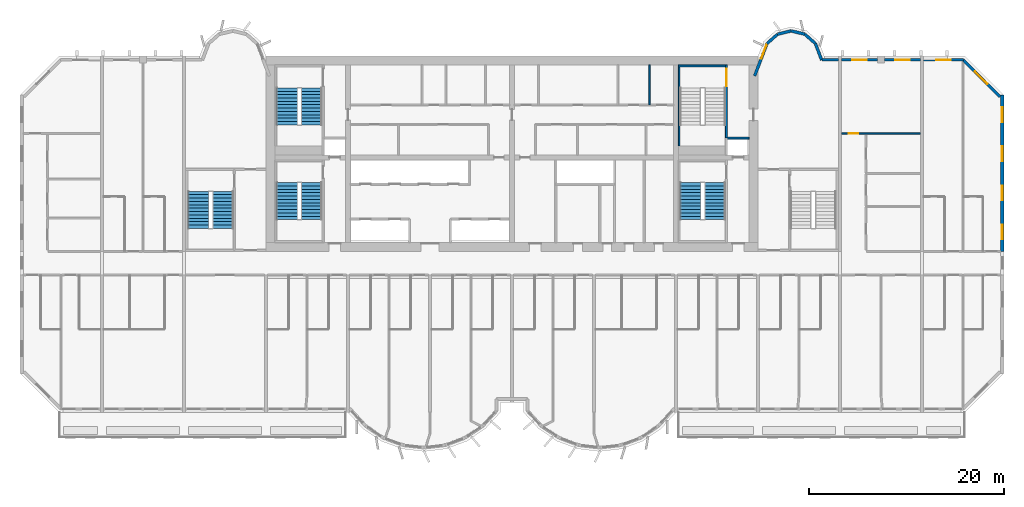
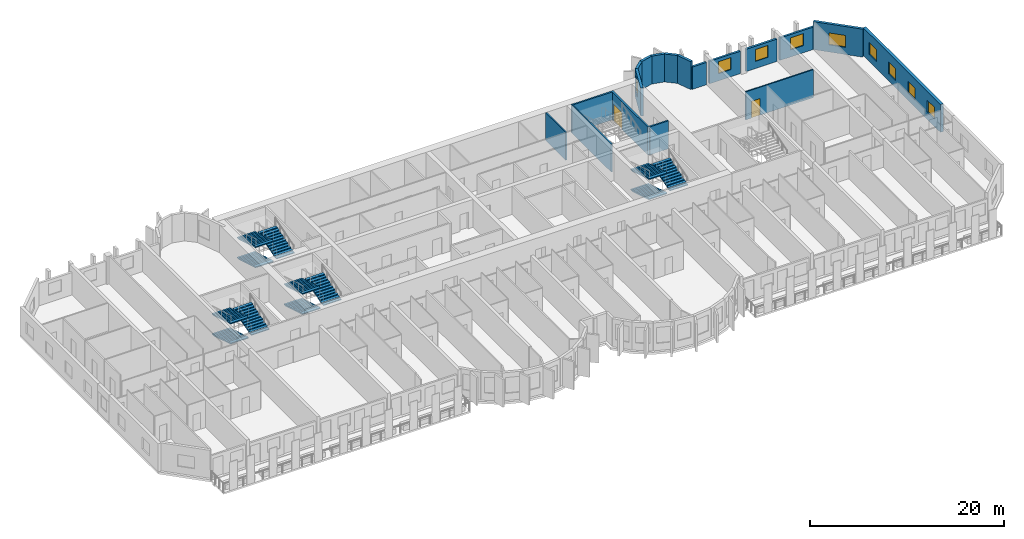
# One storey, part 11 of 15: 18 walls, 12 stair flights, 9 windows, 2 doors, 11 openings, 4 elements without a shape of their own.
"""IFC4 building model written with IfcOpenShell, lengths in metres."""

from ifc_helpers import new_model, si_unit, direction, frame, frame_2d, origin, place, context, subcontext, project, spatial, polyline, rectangle, outline, extrude, source, transform, mapped, material, layer, layer_set, type_object, element, fill, aggregate, save


model = new_model("IFC4")

# Units and contexts
model_context = context("Model", 3, precision=1e-05, world=origin(), true_north=direction((0.0, 1.0)))
body_context = subcontext(model_context, "Body", "Model", "MODEL_VIEW")
ifc_project = project(units=[si_unit("LENGTHUNIT", "METRE"), si_unit("AREAUNIT", "SQUARE_METRE"), si_unit("VOLUMEUNIT", "CUBIC_METRE"), si_unit("PLANEANGLEUNIT", "RADIAN"), si_unit("MASSUNIT", "GRAM", prefix="KILO")], contexts=[model_context])

# Site, building, storey
site_placement = place(None, origin())
site = spatial("IfcSite", under=ifc_project, at=site_placement, CompositionType="ELEMENT")
building_placement = place(site_placement, origin())
building = spatial("IfcBuilding", under=site, at=building_placement, Name="Vanashikhar Sky Hotel", CompositionType="ELEMENT")
storey_placement = place(building_placement, frame((0.0, 0.0, 95.199951171875)))
storey = spatial("IfcBuildingStorey", under=building, at=storey_placement, Name="L22", CompositionType="ELEMENT", Elevation=95.199951171875)

# Wall, openings, windows
ifc_material_1 = material(Name="Concrete M70", Category="concrete")
ifc_layer_1 = layer(ifc_material_1, 0.35009765625)
ifc_layer_set_1 = layer_set([ifc_layer_1], Name="RC shear wall 350 Concrete M70")
wall_type_1 = type_object("IfcWallType", Name="RC shear wall 350 Concrete M70", PredefinedType="SHEAR", material=ifc_layer_set_1)
shared_shape_1 = source(origin(), body_context, "Body", "SweptSolid", [
    extrude(rectangle(XDim=16.0, YDim=0.35009765625, at=frame_2d((8.0, 0.0))), origin(), (0.0, 0.0, 1.0), 3.52001953125),
])
wall_1_placement = place(storey_placement, frame((100.625, 22.0, 0.0), z_axis=(0.0, 0.0, 1.0), x_axis=(0.0, 1.0, 0.0)))
wall_1 = element("IfcWall", 1, at=wall_1_placement, inside=storey, type_object=wall_type_1, Name="CW-L22-XW13-2", PredefinedType="SHEAR", context=body_context, shape_type="MappedRepresentation", body=[
    mapped(shared_shape_1, transform((0.0, 0.0, 0.0), scale=1.0)),
])
shared_shape_2 = source(origin(), body_context, "Body", "SweptSolid", [
    extrude(rectangle(XDim=1.5, YDim=1.5, at=frame_2d((0.75, 0.75))), frame((0.0, 0.18505859375, 0.0), z_axis=(0.0, -1.0, 0.0), x_axis=(1.0, 0.0, 0.0)), (0.0, 0.0, 1.0), 0.3701171875),
])
opening_1_placement = place(wall_1_placement, frame((1.25, 0.0, 0.89990234375)))
opening_1 = element("IfcOpeningElement", 2, at=opening_1_placement, cuts=wall_1, Name="Opening WN-1", PredefinedType="OPENING", context=body_context, shape_type="MappedRepresentation", body=[
    mapped(shared_shape_2, transform((0.0, 0.0, 0.0), scale=1.0)),
])
opening_2_placement = place(wall_1_placement, frame((5.25, 0.0, 0.89990234375)))
opening_2 = element("IfcOpeningElement", 3, at=opening_2_placement, cuts=wall_1, Name="Opening WN-1", PredefinedType="OPENING", context=body_context, shape_type="MappedRepresentation", body=[
    mapped(shared_shape_2, transform((0.0, 0.0, 0.0), scale=1.0)),
])
opening_3_placement = place(wall_1_placement, frame((9.25, 0.0, 0.89990234375)))
opening_3 = element("IfcOpeningElement", 4, at=opening_3_placement, cuts=wall_1, Name="Opening WN-1", PredefinedType="OPENING", context=body_context, shape_type="MappedRepresentation", body=[
    mapped(shared_shape_2, transform((0.0, 0.0, 0.0), scale=1.0)),
])
opening_4_placement = place(wall_1_placement, frame((13.25, 0.0, 0.89990234375)))
opening_4 = element("IfcOpeningElement", 5, at=opening_4_placement, cuts=wall_1, Name="Opening WN-1", PredefinedType="OPENING", context=body_context, shape_type="MappedRepresentation", body=[
    mapped(shared_shape_2, transform((0.0, 0.0, 0.0), scale=1.0)),
])
ifc_material_2 = material(Name="Glass", Category="glass")
window_type_1 = type_object("IfcWindowType", Name="Window 1500 x 1500", PartitioningType="SINGLE_PANEL", PredefinedType="WINDOW", material=ifc_material_2)
shared_shape_3 = source(origin(), body_context, "Body", "SweptSolid", [
    extrude(rectangle(XDim=1.5, YDim=1.5, at=frame_2d((0.75, 0.75))), frame((0.0, 0.030029296875, 0.0), z_axis=(0.0, -1.0, 0.0), x_axis=(1.0, 0.0, 0.0)), (0.0, 0.0, 1.0), 0.06005859375),
])
window_1_placement = place(opening_1_placement, origin())
window_1 = element("IfcWindow", 6, at=window_1_placement, inside=storey, type_object=window_type_1, Name="Window WN-1", OverallHeight=1.5, OverallWidth=1.5, PartitioningType="SINGLE_PANEL", PredefinedType="WINDOW", context=body_context, shape_type="MappedRepresentation", body=[
    mapped(shared_shape_3, transform((0.0, 0.0, 0.0), scale=1.0)),
])
fill(opening_1, window_1)
window_2_placement = place(opening_2_placement, origin())
window_2 = element("IfcWindow", 7, at=window_2_placement, inside=storey, type_object=window_type_1, Name="Window WN-1", OverallHeight=1.5, OverallWidth=1.5, PartitioningType="SINGLE_PANEL", PredefinedType="WINDOW", context=body_context, shape_type="MappedRepresentation", body=[
    mapped(shared_shape_3, transform((0.0, 0.0, 0.0), scale=1.0)),
])
fill(opening_2, window_2)
window_3_placement = place(opening_3_placement, origin())
window_3 = element("IfcWindow", 8, at=window_3_placement, inside=storey, type_object=window_type_1, Name="Window WN-1", OverallHeight=1.5, OverallWidth=1.5, PartitioningType="SINGLE_PANEL", PredefinedType="WINDOW", context=body_context, shape_type="MappedRepresentation", body=[
    mapped(shared_shape_3, transform((0.0, 0.0, 0.0), scale=1.0)),
])
fill(opening_3, window_3)
window_4_placement = place(opening_4_placement, origin())
window_4 = element("IfcWindow", 9, at=window_4_placement, inside=storey, type_object=window_type_1, Name="Window WN-1", OverallHeight=1.5, OverallWidth=1.5, PartitioningType="SINGLE_PANEL", PredefinedType="WINDOW", context=body_context, shape_type="MappedRepresentation", body=[
    mapped(shared_shape_3, transform((0.0, 0.0, 0.0), scale=1.0)),
])
fill(opening_4, window_4)

# Wall, opening, window
ifc_material_3 = material(Name="Concrete M50", Category="concrete")
ifc_layer_2 = layer(ifc_material_3, 0.300048828125)
ifc_layer_set_2 = layer_set([ifc_layer_2], Name="Lobe wall 300")
wall_type_2 = type_object("IfcWallType", Name="Lobe wall 300", PredefinedType="SOLIDWALL", material=ifc_layer_set_2)
shared_shape_4 = source(origin(), body_context, "Body", "SweptSolid", [
    extrude(rectangle(XDim=5.32568359375, YDim=0.300048828125, at=frame_2d((2.662841796875, 0.0))), origin(), (0.0, 0.0, 1.0), 3.52001953125),
])
wall_2_placement = place(storey_placement, frame((100.39990234375, 37.834228515625, 0.0), z_axis=(0.0, 0.0, 1.0), x_axis=(-0.707083859269, 0.707129702361, 0.0)))
wall_2 = element("IfcWall", 10, at=wall_2_placement, inside=storey, type_object=wall_type_2, Name="Corner wall", PredefinedType="SOLIDWALL", context=body_context, shape_type="MappedRepresentation", body=[
    mapped(shared_shape_4, transform((0.0, 0.0, 0.0), scale=1.0)),
])
shared_shape_5 = source(origin(), body_context, "Body", "SweptSolid", [
    extrude(rectangle(XDim=1.800048828125, YDim=1.5, at=frame_2d((0.89990234375, 0.75))), frame((0.0, 0.16015625, 0.0), z_axis=(0.0, -1.0, 0.0), x_axis=(1.0, 0.0, 0.0)), (0.0, 0.0, 1.0), 0.320068359375),
])
opening_5_placement = place(wall_2_placement, frame((1.853759765625, 0.0, 0.89990234375)))
opening_5 = element("IfcOpeningElement", 11, at=opening_5_placement, cuts=wall_2, Name="Opening WN-4", PredefinedType="OPENING", context=body_context, shape_type="MappedRepresentation", body=[
    mapped(shared_shape_5, transform((0.0, 0.0, 0.0), scale=1.0)),
])
window_type_2 = type_object("IfcWindowType", Name="Corner window 1800 x 1500", PartitioningType="SINGLE_PANEL", PredefinedType="WINDOW", material=ifc_material_2)
shared_shape_6 = source(origin(), body_context, "Body", "SweptSolid", [
    extrude(rectangle(XDim=1.800048828125, YDim=1.5, at=frame_2d((0.89990234375, 0.75))), frame((0.0, 0.030029296875, 0.0), z_axis=(0.0, -1.0, 0.0), x_axis=(1.0, 0.0, 0.0)), (0.0, 0.0, 1.0), 0.06005859375),
])
window_5_placement = place(opening_5_placement, origin())
window_5 = element("IfcWindow", 12, at=window_5_placement, inside=storey, type_object=window_type_2, Name="Window WN-4", OverallHeight=1.5, OverallWidth=1.800048828125, PartitioningType="SINGLE_PANEL", PredefinedType="WINDOW", context=body_context, shape_type="MappedRepresentation", body=[
    mapped(shared_shape_6, transform((0.0, 0.0, 0.0), scale=1.0)),
])
fill(opening_5, window_5)

shared_shape_7 = source(origin(), body_context, "Body", "SweptSolid", [
    extrude(rectangle(XDim=3.55908203125, YDim=0.300048828125, at=frame_2d((1.779541015625, 0.0))), origin(), (0.0, 0.0, 1.0), 3.52001953125),
])
wall_3_placement = place(storey_placement, frame((76.5234375, 43.2919921875, 0.0), z_axis=(0.0, 0.0, 1.0), x_axis=(-0.35779745313, -0.933799219604, 0.0)))
wall_3 = element("IfcWall", 13, at=wall_3_placement, inside=storey, type_object=wall_type_2, Name="Lobe wall", PredefinedType="SOLIDWALL", context=body_context, shape_type="MappedRepresentation", body=[
    mapped(shared_shape_7, transform((0.0, 0.0, 0.0), scale=1.0)),
])
shared_shape_8 = source(origin(), body_context, "Body", "SweptSolid", [
    extrude(rectangle(XDim=1.5, YDim=2.0, at=frame_2d((0.75, 1.0))), frame((0.0, 0.16015625, 0.0), z_axis=(0.0, -1.0, 0.0), x_axis=(1.0, 0.0, 0.0)), (0.0, 0.0, 1.0), 0.320068359375),
])
opening_6_placement = place(wall_3_placement, frame((0.156005859375, 0.0, 0.89990234375)))
opening_6 = element("IfcOpeningElement", 14, at=opening_6_placement, cuts=wall_3, Name="Opening WN-2", PredefinedType="OPENING", context=body_context, shape_type="MappedRepresentation", body=[
    mapped(shared_shape_8, transform((0.0, 0.0, 0.0), scale=1.0)),
])
window_type_3 = type_object("IfcWindowType", Name="Lobe window 1500 x 2000", PartitioningType="SINGLE_PANEL", PredefinedType="WINDOW", material=ifc_material_2)
shared_shape_9 = source(origin(), body_context, "Body", "SweptSolid", [
    extrude(rectangle(XDim=1.5, YDim=2.0, at=frame_2d((0.75, 1.0))), frame((0.0, 0.030029296875, 0.0), z_axis=(0.0, -1.0, 0.0), x_axis=(1.0, 0.0, 0.0)), (0.0, 0.0, 1.0), 0.06005859375),
])
window_6_placement = place(opening_6_placement, origin())
window_6 = element("IfcWindow", 15, at=window_6_placement, inside=storey, type_object=window_type_3, Name="Window WN-2", OverallHeight=2.0, OverallWidth=1.5, PartitioningType="SINGLE_PANEL", PredefinedType="WINDOW", context=body_context, shape_type="MappedRepresentation", body=[
    mapped(shared_shape_9, transform((0.0, 0.0, 0.0), scale=1.0)),
])
fill(opening_6, window_6)

# Walls
shared_shape_10 = source(origin(), body_context, "Body", "SweptSolid", [
    extrude(rectangle(XDim=1.438720703125, YDim=0.300048828125, at=frame_2d((0.71923828125, 0.0))), origin(), (0.0, 0.0, 1.0), 3.52001953125),
])
for number, where, z_axis, x_axis, name in (
    (16, (80.397216796875, 44.2451171875, 0.0), (0.0, 0.0, 1.0), (-0.971161932466, 0.238420848351, 0.0), "Lobe wall"),
    (17, (79.0, 44.588134765625, 0.0), (0.0, 0.0, 1.0), (-0.971161932466, -0.238420848351, 0.0), "Lobe wall"),
):
    element("IfcWall", number, at=place(storey_placement, frame(where, z_axis=z_axis, x_axis=x_axis)), inside=storey, type_object=wall_type_2, Name=name, PredefinedType="SOLIDWALL", context=body_context, shape_type="MappedRepresentation", body=[
        mapped(shared_shape_10, transform((0.0, 0.0, 0.0), scale=1.0)),
    ])
shared_shape_11 = source(origin(), body_context, "Body", "SweptSolid", [
    extrude(rectangle(XDim=1.43994140625, YDim=0.300048828125, at=frame_2d((0.719970703125, 0.0))), origin(), (0.0, 0.0, 1.0), 3.52001953125),
])
for number, where, z_axis, x_axis, name in (
    (18, (81.4765625, 43.2919921875, 0.0), (0.0, 0.0, 1.0), (-0.74957555648, 0.661918790432, 0.0), "Lobe wall"),
    (19, (77.602783203125, 44.2451171875, 0.0), (0.0, 0.0, 1.0), (-0.74957555648, -0.661918790432, 0.0), "Lobe wall"),
):
    element("IfcWall", number, at=place(storey_placement, frame(where, z_axis=z_axis, x_axis=x_axis)), inside=storey, type_object=wall_type_2, Name=name, PredefinedType="SOLIDWALL", context=body_context, shape_type="MappedRepresentation", body=[
        mapped(shared_shape_11, transform((0.0, 0.0, 0.0), scale=1.0)),
    ])
shared_shape_12 = source(origin(), body_context, "Body", "SweptSolid", [
    extrude(rectangle(XDim=1.81201171875, YDim=0.300048828125, at=frame_2d((0.906005859375, 0.0))), origin(), (0.0, 0.0, 1.0), 3.52001953125),
])
wall_4_placement = place(storey_placement, frame((82.125, 41.60009765625, 0.0), z_axis=(0.0, 0.0, 1.0), x_axis=(-0.357877270961, 0.93376863244, 0.0)))
element("IfcWall", 20, at=wall_4_placement, inside=storey, type_object=wall_type_2, Name="Lobe wall", PredefinedType="SOLIDWALL", context=body_context, shape_type="MappedRepresentation", body=[
    mapped(shared_shape_12, transform((0.0, 0.0, 0.0), scale=1.0)),
])

# Wall, opening, window
ifc_layer_3 = layer(ifc_material_3, 0.25)
ifc_layer_set_3 = layer_set([ifc_layer_3], Name="Rear and end board-marked wall 250")
wall_type_3 = type_object("IfcWallType", Name="Rear and end board-marked wall 250", PredefinedType="SOLIDWALL", material=ifc_layer_set_3)
shared_shape_13 = source(origin(), body_context, "Body", "SweptSolid", [
    extrude(rectangle(XDim=4.06982421875, YDim=0.25, at=frame_2d((2.034912109375, 0.0))), origin(), (0.0, 0.0, 1.0), 2.820068359375),
])
wall_5_placement = place(storey_placement, frame((96.644775390625, 41.625, 0.0), z_axis=(0.0, 0.0, 1.0), x_axis=(-1.0, 0.0, 0.0)))
wall_5 = element("IfcWall", 21, at=wall_5_placement, inside=storey, type_object=wall_type_3, Name="Rear board-marked wall", PredefinedType="SOLIDWALL", context=body_context, shape_type="MappedRepresentation", body=[
    mapped(shared_shape_13, transform((0.0, 0.0, 0.0), scale=1.0)),
])
shared_shape_14 = source(origin(), body_context, "Body", "SweptSolid", [
    extrude(rectangle(XDim=1.5, YDim=1.5, at=frame_2d((0.75, 0.75))), frame((0.0, 0.135009765625, 0.0), z_axis=(0.0, -1.0, 0.0), x_axis=(1.0, 0.0, 0.0)), (0.0, 0.0, 1.0), 0.27001953125),
])
opening_7_placement = place(wall_5_placement, frame((1.284912109375, 0.0, 0.89990234375)))
opening_7 = element("IfcOpeningElement", 22, at=opening_7_placement, cuts=wall_5, Name="Opening WN-1", PredefinedType="OPENING", context=body_context, shape_type="MappedRepresentation", body=[
    mapped(shared_shape_14, transform((0.0, 0.0, 0.0), scale=1.0)),
])
window_7_placement = place(opening_7_placement, origin())
window_7 = element("IfcWindow", 23, at=window_7_placement, inside=storey, type_object=window_type_1, Name="Window WN-1", OverallHeight=1.5, OverallWidth=1.5, PartitioningType="SINGLE_PANEL", PredefinedType="WINDOW", context=body_context, shape_type="MappedRepresentation", body=[
    mapped(shared_shape_3, transform((0.0, 0.0, 0.0), scale=1.0)),
])
fill(opening_7, window_7)

shared_shape_15 = source(origin(), body_context, "Body", "SweptSolid", [
    extrude(rectangle(XDim=3.675048828125, YDim=0.25, at=frame_2d((1.83740234375, 0.0))), origin(), (0.0, 0.0, 1.0), 2.820068359375),
])
wall_6_placement = place(storey_placement, frame((87.85009765625, 41.625, 0.0), z_axis=(0.0, 0.0, 1.0), x_axis=(-1.0, 0.0, 0.0)))
wall_6 = element("IfcWall", 24, at=wall_6_placement, inside=storey, type_object=wall_type_3, Name="Rear board-marked wall", PredefinedType="SOLIDWALL", context=body_context, shape_type="MappedRepresentation", body=[
    mapped(shared_shape_15, transform((0.0, 0.0, 0.0), scale=1.0)),
])
opening_8_placement = place(wall_6_placement, frame((1.08740234375, 0.0, 0.89990234375)))
opening_8 = element("IfcOpeningElement", 25, at=opening_8_placement, cuts=wall_6, Name="Opening WN-1", PredefinedType="OPENING", context=body_context, shape_type="MappedRepresentation", body=[
    mapped(shared_shape_14, transform((0.0, 0.0, 0.0), scale=1.0)),
])
window_8_placement = place(opening_8_placement, origin())
window_8 = element("IfcWindow", 26, at=window_8_placement, inside=storey, type_object=window_type_1, Name="Window WN-1", OverallHeight=1.5, OverallWidth=1.5, PartitioningType="SINGLE_PANEL", PredefinedType="WINDOW", context=body_context, shape_type="MappedRepresentation", body=[
    mapped(shared_shape_3, transform((0.0, 0.0, 0.0), scale=1.0)),
])
fill(opening_8, window_8)

wall_7_placement = place(storey_placement, frame((92.22509765625, 41.625, 0.0), z_axis=(0.0, 0.0, 1.0), x_axis=(-1.0, 0.0, 0.0)))
wall_7 = element("IfcWall", 27, at=wall_7_placement, inside=storey, type_object=wall_type_3, Name="Rear board-marked wall", PredefinedType="SOLIDWALL", context=body_context, shape_type="MappedRepresentation", body=[
    mapped(shared_shape_15, transform((0.0, 0.0, 0.0), scale=1.0)),
])
opening_9_placement = place(wall_7_placement, frame((1.08740234375, 0.0, 0.89990234375)))
opening_9 = element("IfcOpeningElement", 28, at=opening_9_placement, cuts=wall_7, Name="Opening WN-1", PredefinedType="OPENING", context=body_context, shape_type="MappedRepresentation", body=[
    mapped(shared_shape_14, transform((0.0, 0.0, 0.0), scale=1.0)),
])
window_9_placement = place(opening_9_placement, origin())
window_9 = element("IfcWindow", 29, at=window_9_placement, inside=storey, type_object=window_type_1, Name="Window WN-1", OverallHeight=1.5, OverallWidth=1.5, PartitioningType="SINGLE_PANEL", PredefinedType="WINDOW", context=body_context, shape_type="MappedRepresentation", body=[
    mapped(shared_shape_3, transform((0.0, 0.0, 0.0), scale=1.0)),
])
fill(opening_9, window_9)

# Walls
shared_shape_16 = source(origin(), body_context, "Body", "SweptSolid", [
    extrude(rectangle(XDim=1.682861328125, YDim=0.25, at=frame_2d((0.84130859375, 0.0))), origin(), (0.0, 0.0, 1.0), 2.820068359375),
])
wall_8_placement = place(storey_placement, frame((83.824951171875, 41.625, 0.0), z_axis=(0.0, 0.0, 1.0), x_axis=(-1.0, 0.0, 0.0)))
element("IfcWall", 30, at=wall_8_placement, inside=storey, type_object=wall_type_3, Name="Rear board-marked wall", PredefinedType="SOLIDWALL", context=body_context, shape_type="MappedRepresentation", body=[
    mapped(shared_shape_16, transform((0.0, 0.0, 0.0), scale=1.0)),
])
ifc_material_4 = material(Name="Gypsum board partition")
ifc_layer_4 = layer(ifc_material_4, 0.14990234375)
ifc_layer_set_4 = layer_set([ifc_layer_4], Name="Service partition 150")
wall_type_4 = type_object("IfcWallType", Name="Service partition 150", PredefinedType="PARTITIONING", material=ifc_layer_set_4)
shared_shape_17 = source(origin(), body_context, "Body", "SweptSolid", [
    extrude(rectangle(XDim=4.10009765625, YDim=0.14990234375, at=frame_2d((2.050048828125, 0.0))), origin(), (0.0, 0.0, 1.0), 3.52001953125),
])
wall_9_placement = place(storey_placement, frame((64.5048828125, 37.0, 0.0), z_axis=(0.0, 0.0, 1.0), x_axis=(0.0, 1.0, 0.0)))
element("IfcWall", 31, at=wall_9_placement, inside=storey, type_object=wall_type_4, Name="Service partition 150", PredefinedType="PARTITIONING", context=body_context, shape_type="MappedRepresentation", body=[
    mapped(shared_shape_17, transform((0.0, 0.0, 0.0), scale=1.0)),
])

# Wall, opening, door
ifc_layer_5 = layer(ifc_material_3, 0.199951171875)
ifc_layer_set_5 = layer_set([ifc_layer_5], Name="Stair wall 200")
wall_type_5 = type_object("IfcWallType", Name="Stair wall 200", PredefinedType="SOLIDWALL", material=ifc_layer_set_5)
shared_shape_18 = source(origin(), body_context, "Body", "SweptSolid", [
    extrude(rectangle(XDim=7.5, YDim=0.199951171875, at=frame_2d((3.75, 0.0))), origin(), (0.0, 0.0, 1.0), 3.52001953125),
])
wall_10_placement = place(storey_placement, frame((72.35009765625, 33.60009765625, 0.0), z_axis=(0.0, 0.0, 1.0), x_axis=(0.0, 1.0, 0.0)))
wall_10 = element("IfcWall", 32, at=wall_10_placement, inside=storey, type_object=wall_type_5, Name="Stair wall 200", PredefinedType="SOLIDWALL", context=body_context, shape_type="MappedRepresentation", body=[
    mapped(shared_shape_18, transform((0.0, 0.0, 0.0), scale=1.0)),
])
shared_shape_19 = source(origin(), body_context, "Body", "SweptSolid", [
    extrude(rectangle(XDim=1.800048828125, YDim=2.10009765625, at=frame_2d((0.89990234375, 1.050048828125))), frame((0.0, 0.10986328125, 0.0), z_axis=(0.0, -1.0, 0.0), x_axis=(1.0, 0.0, 0.0)), (0.0, 0.0, 1.0), 0.219970703125),
])
opening_10_placement = place(wall_10_placement, frame((5.300048828125, 0.0, 0.0)))
opening_10 = element("IfcOpeningElement", 33, at=opening_10_placement, cuts=wall_10, Name="Opening DC-1-A", PredefinedType="OPENING", context=body_context, shape_type="MappedRepresentation", body=[
    mapped(shared_shape_19, transform((0.0, 0.0, 0.0), scale=1.0)),
])
ifc_material_5 = material(Name="Steel", Category="steel")
door_type_1 = type_object("IfcDoorType", Name="Stair door 1800 FD120", OperationType="NOTDEFINED", PredefinedType="DOOR", material=ifc_material_5)
shared_shape_20 = source(origin(), body_context, "Body", "SweptSolid", [
    extrude(rectangle(XDim=1.800048828125, YDim=2.10009765625, at=frame_2d((0.89990234375, 1.050048828125))), frame((0.0, 0.02490234375, 0.0), z_axis=(0.0, -1.0, 0.0), x_axis=(1.0, 0.0, 0.0)), (0.0, 0.0, 1.0), 0.050048828125),
])
door_1_placement = place(opening_10_placement, origin())
door_1 = element("IfcDoor", 34, at=door_1_placement, inside=storey, type_object=door_type_1, Name="Stair door 1800 FD120", OperationType="SINGLE_SWING_LEFT", OverallHeight=2.10009765625, OverallWidth=1.800048828125, PredefinedType="DOOR", context=body_context, shape_type="MappedRepresentation", body=[
    mapped(shared_shape_20, transform((0.0, 0.0, 0.0), scale=1.0)),
])
fill(opening_10, door_1)

# Walls
ifc_material_6 = material(Name="Concrete M40", Category="concrete")
ifc_layer_6 = layer(ifc_material_6, 0.199951171875)
ifc_layer_set_6 = layer_set([ifc_layer_6], Name="Shaft wall 200")
wall_type_6 = type_object("IfcWallType", Name="Shaft wall 200", PredefinedType="SOLIDWALL", material=ifc_layer_set_6)
shared_shape_21 = source(origin(), body_context, "Body", "SweptSolid", [
    extrude(rectangle(XDim=2.25, YDim=0.199951171875, at=frame_2d((1.125, 0.0))), origin(), (0.0, 0.0, 1.0), 3.52001953125),
])
wall_11_placement = place(storey_placement, frame((72.449951171875, 33.60009765625, 0.0), z_axis=(0.0, 0.0, 1.0), x_axis=(1.0, 0.0, 0.0)))
element("IfcWall", 35, at=wall_11_placement, inside=storey, type_object=wall_type_6, Name="Shaft wall 200", PredefinedType="SOLIDWALL", context=body_context, shape_type="MappedRepresentation", body=[
    mapped(shared_shape_21, transform((0.0, 0.0, 0.0), scale=1.0)),
])
ifc_layer_7 = layer(ifc_material_3, 0.199951171875)
ifc_layer_set_7 = layer_set([ifc_layer_7], Name="Stair infill wall 200")
wall_type_7 = type_object("IfcWallType", Name="Stair infill wall 200", PredefinedType="SOLIDWALL", material=ifc_layer_set_7)
shared_shape_22 = source(origin(), body_context, "Body", "SweptSolid", [
    extrude(rectangle(XDim=4.800048828125, YDim=0.199951171875, at=frame_2d((2.39990234375, 0.0))), origin(), (0.0, 0.0, 1.0), 3.52001953125),
])
wall_12_placement = place(storey_placement, frame((67.449951171875, 41.0, 0.0), z_axis=(0.0, 0.0, 1.0), x_axis=(1.0, 0.0, 0.0)))
element("IfcWall", 36, at=wall_12_placement, inside=storey, type_object=wall_type_7, Name="Stair infill wall 200", PredefinedType="SOLIDWALL", context=body_context, shape_type="MappedRepresentation", body=[
    mapped(shared_shape_22, transform((0.0, 0.0, 0.0), scale=1.0)),
])
ifc_layer_8 = layer(ifc_material_3, 0.14990234375)
ifc_layer_set_8 = layer_set([ifc_layer_8], Name="Stair infill wall 150")
wall_type_8 = type_object("IfcWallType", Name="Stair infill wall 150", PredefinedType="SOLIDWALL", material=ifc_layer_set_8)
shared_shape_23 = source(origin(), body_context, "Body", "SweptSolid", [
    extrude(rectangle(XDim=8.099853515625, YDim=0.14990234375, at=frame_2d((4.0498046875, 0.0))), origin(), (0.0, 0.0, 1.0), 3.52001953125),
])
wall_13_placement = place(storey_placement, frame((67.52490234375, 32.800048828125, 0.0), z_axis=(0.0, 0.0, 1.0), x_axis=(0.0, 1.0, 0.0)))
element("IfcWall", 37, at=wall_13_placement, inside=storey, type_object=wall_type_8, Name="Stair infill wall 150", PredefinedType="SOLIDWALL", context=body_context, shape_type="MappedRepresentation", body=[
    mapped(shared_shape_23, transform((0.0, 0.0, 0.0), scale=1.0)),
])

# Wall, opening, door
ifc_material_7 = material(Name="Gypsum plasterboard partition")
ifc_layer_9 = layer(ifc_material_7, 0.14990234375)
ifc_layer_set_9 = layer_set([ifc_layer_9], Name="Corridor and demising partition 150")
wall_type_9 = type_object("IfcWallType", Name="Corridor and demising partition 150", PredefinedType="PARTITIONING", material=ifc_layer_set_9)
shared_shape_24 = source(origin(), body_context, "Body", "SweptSolid", [
    extrude(rectangle(XDim=8.050048828125, YDim=0.14990234375, at=frame_2d((4.02490234375, 0.0))), origin(), (0.0, 0.0, 1.0), 3.52001953125),
])
wall_14_placement = place(storey_placement, frame((84.175048828125, 34.074951171875, 0.0), z_axis=(0.0, 0.0, 1.0), x_axis=(1.0, 0.0, 0.0)))
wall_14 = element("IfcWall", 38, at=wall_14_placement, inside=storey, type_object=wall_type_9, Name="W-L22-PW093", PredefinedType="PARTITIONING", context=body_context, shape_type="MappedRepresentation", body=[
    mapped(shared_shape_24, transform((0.0, 0.0, 0.0), scale=1.0)),
])
shared_shape_25 = source(origin(), body_context, "Body", "SweptSolid", [
    extrude(rectangle(XDim=1.0, YDim=2.10009765625, at=frame_2d((0.5, 1.050048828125))), frame((0.0, 0.0849609375, 0.0), z_axis=(0.0, -1.0, 0.0), x_axis=(1.0, 0.0, 0.0)), (0.0, 0.0, 1.0), 0.169921875),
])
opening_11_placement = place(wall_14_placement, frame((0.699951171875, 0.0, 0.0)))
opening_11 = element("IfcOpeningElement", 39, at=opening_11_placement, cuts=wall_14, Name="Opening D-01", PredefinedType="OPENING", context=body_context, shape_type="MappedRepresentation", body=[
    mapped(shared_shape_25, transform((0.0, 0.0, 0.0), scale=1.0)),
])
ifc_material_8 = material(Name="Timber fire door", Category="wood")
door_type_2 = type_object("IfcDoorType", Name="Guest entry door 1000 FD30S", OperationType="NOTDEFINED", PredefinedType="DOOR", material=ifc_material_8)
shared_shape_26 = source(origin(), body_context, "Body", "SweptSolid", [
    extrude(rectangle(XDim=1.0, YDim=2.10009765625, at=frame_2d((0.5, 1.050048828125))), frame((0.0, 0.02490234375, 0.0), z_axis=(0.0, -1.0, 0.0), x_axis=(1.0, 0.0, 0.0)), (0.0, 0.0, 1.0), 0.050048828125),
])
door_2_placement = place(opening_11_placement, origin())
door_2 = element("IfcDoor", 40, at=door_2_placement, inside=storey, type_object=door_type_2, Name="D-L22-053", OperationType="SINGLE_SWING_LEFT", OverallHeight=2.10009765625, OverallWidth=1.0, PredefinedType="DOOR", context=body_context, shape_type="MappedRepresentation", body=[
    mapped(shared_shape_26, transform((0.0, 0.0, 0.0), scale=1.0)),
])
fill(opening_11, door_2)

# Stair, stair flights
stair_type = type_object("IfcStairType", Name="Exit stair 2150", PredefinedType="DOUBLE_RETURN_STAIR", material=ifc_material_6)
stair_1_placement = place(storey_placement, origin())
stair_1 = element("IfcStair", 41, at=stair_1_placement, inside=storey, type_object=stair_type, Name="L22 Exit stair 1", PredefinedType="DOUBLE_RETURN_STAIR")
stair_flight_type = type_object("IfcStairFlightType", Name="Stair flight 2150", PredefinedType="STRAIGHT", material=ifc_material_6)
shared_shape_27 = source(origin(), body_context, "Body", "SweptSolid", [
    extrude(outline(polyline([(0.0, 0.0), (0.0, 0.10546875), (0.345458984375, 0.10546875), (0.345458984375, 0.211181640625), (0.69091796875, 0.211181640625), (0.69091796875, 0.316650390625), (1.036376953125, 0.316650390625), (1.036376953125, 0.422119140625), (1.3818359375, 0.422119140625), (1.3818359375, 0.52783203125), (1.727294921875, 0.52783203125), (1.727294921875, 0.63330078125), (2.07275390625, 0.63330078125), (2.07275390625, 0.73876953125), (2.418212890625, 0.73876953125), (2.418212890625, 0.844482421875), (2.763671875, 0.844482421875), (2.763671875, 0.949951171875), (3.109130859375, 0.949951171875), (3.109130859375, 1.0556640625), (3.45458984375, 1.0556640625), (3.45458984375, 1.1611328125), (3.800048828125, 1.1611328125), (3.800048828125, 1.2666015625), (3.800048828125, 1.035400390625), (0.4111328125, 0.0), (0.0, 0.0)])), frame((0.0, 1.074951171875, 0.0), z_axis=(0.0, -1.0, 0.0), x_axis=(1.0, 0.0, 0.0)), (0.0, 0.0, 1.0), 2.14990234375),
])
stair_flight_1_placement = place(storey_placement, frame((27.375, 29.050048828125, 0.0), z_axis=(0.0, 0.0, 1.0), x_axis=(0.0, -1.0, 0.0)))
stair_flight_1 = element("IfcStairFlight", 42, at=stair_flight_1_placement, type_object=stair_flight_type, Name="ST-C1 flight 1", NumberOfRisers=12, NumberOfTreads=11, PredefinedType="STRAIGHT", RiserHeight=0.105555556, TreadLength=0.345454545, context=body_context, shape_type="MappedRepresentation", body=[
    mapped(shared_shape_27, transform((0.0, 0.0, 0.0), scale=1.0)),
])
stair_flight_2_placement = place(storey_placement, frame((29.875, 25.25, 1.2666015625), z_axis=(0.0, 0.0, 1.0), x_axis=(0.0, 1.0, 0.0)))
stair_flight_2 = element("IfcStairFlight", 43, at=stair_flight_2_placement, type_object=stair_flight_type, Name="ST-C1 flight 2", NumberOfRisers=12, NumberOfTreads=11, PredefinedType="STRAIGHT", RiserHeight=0.105555556, TreadLength=0.345454545, context=body_context, shape_type="MappedRepresentation", body=[
    mapped(shared_shape_27, transform((0.0, 0.0, 0.0), scale=1.0)),
])
stair_flight_3_placement = place(storey_placement, frame((27.375, 29.050048828125, 2.533447265625), z_axis=(0.0, 0.0, 1.0), x_axis=(0.0, -1.0, 0.0)))
stair_flight_3 = element("IfcStairFlight", 44, at=stair_flight_3_placement, type_object=stair_flight_type, Name="ST-C1 flight 3", NumberOfRisers=12, NumberOfTreads=11, PredefinedType="STRAIGHT", RiserHeight=0.105555556, TreadLength=0.345454545, context=body_context, shape_type="MappedRepresentation", body=[
    mapped(shared_shape_27, transform((0.0, 0.0, 0.0), scale=1.0)),
])
aggregate(stair_1, [stair_flight_1, stair_flight_2, stair_flight_3])

stair_2_placement = place(storey_placement, origin())
stair_2 = element("IfcStair", 45, at=stair_2_placement, inside=storey, type_object=stair_type, Name="L22 Exit stair 2", PredefinedType="DOUBLE_RETURN_STAIR")
stair_flight_4_placement = place(storey_placement, frame((68.675048828125, 29.050048828125, 0.0), z_axis=(0.0, 0.0, 1.0), x_axis=(0.0, -1.0, 0.0)))
stair_flight_4 = element("IfcStairFlight", 46, at=stair_flight_4_placement, type_object=stair_flight_type, Name="ST-C2 flight 1", NumberOfRisers=12, NumberOfTreads=11, PredefinedType="STRAIGHT", RiserHeight=0.105555556, TreadLength=0.345454545, context=body_context, shape_type="MappedRepresentation", body=[
    mapped(shared_shape_27, transform((0.0, 0.0, 0.0), scale=1.0)),
])
stair_flight_5_placement = place(storey_placement, frame((71.175048828125, 25.25, 1.2666015625), z_axis=(0.0, 0.0, 1.0), x_axis=(0.0, 1.0, 0.0)))
stair_flight_5 = element("IfcStairFlight", 47, at=stair_flight_5_placement, type_object=stair_flight_type, Name="ST-C2 flight 2", NumberOfRisers=12, NumberOfTreads=11, PredefinedType="STRAIGHT", RiserHeight=0.105555556, TreadLength=0.345454545, context=body_context, shape_type="MappedRepresentation", body=[
    mapped(shared_shape_27, transform((0.0, 0.0, 0.0), scale=1.0)),
])
stair_flight_6_placement = place(storey_placement, frame((68.675048828125, 29.050048828125, 2.533447265625), z_axis=(0.0, 0.0, 1.0), x_axis=(0.0, -1.0, 0.0)))
stair_flight_6 = element("IfcStairFlight", 48, at=stair_flight_6_placement, type_object=stair_flight_type, Name="ST-C2 flight 3", NumberOfRisers=12, NumberOfTreads=11, PredefinedType="STRAIGHT", RiserHeight=0.105555556, TreadLength=0.345454545, context=body_context, shape_type="MappedRepresentation", body=[
    mapped(shared_shape_27, transform((0.0, 0.0, 0.0), scale=1.0)),
])
aggregate(stair_2, [stair_flight_4, stair_flight_5, stair_flight_6])

stair_3_placement = place(storey_placement, origin())
stair_3 = element("IfcStair", 49, at=stair_3_placement, inside=storey, type_object=stair_type, Name="L22 Exit stair 3", PredefinedType="DOUBLE_RETURN_STAIR")
stair_flight_7_placement = place(storey_placement, frame((18.27490234375, 28.14990234375, 0.0), z_axis=(0.0, 0.0, 1.0), x_axis=(0.0, -1.0, 0.0)))
stair_flight_7 = element("IfcStairFlight", 50, at=stair_flight_7_placement, type_object=stair_flight_type, Name="ST-W flight 1", NumberOfRisers=12, NumberOfTreads=11, PredefinedType="STRAIGHT", RiserHeight=0.105555556, TreadLength=0.345454545, context=body_context, shape_type="MappedRepresentation", body=[
    mapped(shared_shape_27, transform((0.0, 0.0, 0.0), scale=1.0)),
])
stair_flight_8_placement = place(storey_placement, frame((20.77490234375, 24.35009765625, 1.2666015625), z_axis=(0.0, 0.0, 1.0), x_axis=(0.0, 1.0, 0.0)))
stair_flight_8 = element("IfcStairFlight", 51, at=stair_flight_8_placement, type_object=stair_flight_type, Name="ST-W flight 2", NumberOfRisers=12, NumberOfTreads=11, PredefinedType="STRAIGHT", RiserHeight=0.105555556, TreadLength=0.345454545, context=body_context, shape_type="MappedRepresentation", body=[
    mapped(shared_shape_27, transform((0.0, 0.0, 0.0), scale=1.0)),
])
stair_flight_9_placement = place(storey_placement, frame((18.27490234375, 28.14990234375, 2.533447265625), z_axis=(0.0, 0.0, 1.0), x_axis=(0.0, -1.0, 0.0)))
stair_flight_9 = element("IfcStairFlight", 52, at=stair_flight_9_placement, type_object=stair_flight_type, Name="ST-W flight 3", NumberOfRisers=12, NumberOfTreads=11, PredefinedType="STRAIGHT", RiserHeight=0.105555556, TreadLength=0.345454545, context=body_context, shape_type="MappedRepresentation", body=[
    mapped(shared_shape_27, transform((0.0, 0.0, 0.0), scale=1.0)),
])
aggregate(stair_3, [stair_flight_7, stair_flight_8, stair_flight_9])

stair_4_placement = place(storey_placement, origin())
stair_4 = element("IfcStair", 53, at=stair_4_placement, inside=storey, type_object=stair_type, Name="L22 Exit stair 5", PredefinedType="DOUBLE_RETURN_STAIR")
stair_flight_10_placement = place(storey_placement, frame((27.375, 38.75, 0.0), z_axis=(0.0, 0.0, 1.0), x_axis=(0.0, -1.0, 0.0)))
stair_flight_10 = element("IfcStairFlight", 54, at=stair_flight_10_placement, type_object=stair_flight_type, Name="ST-C3 flight 1", NumberOfRisers=12, NumberOfTreads=11, PredefinedType="STRAIGHT", RiserHeight=0.105555556, TreadLength=0.345454545, context=body_context, shape_type="MappedRepresentation", body=[
    mapped(shared_shape_27, transform((0.0, 0.0, 0.0), scale=1.0)),
])
stair_flight_11_placement = place(storey_placement, frame((29.875, 34.949951171875, 1.2666015625), z_axis=(0.0, 0.0, 1.0), x_axis=(0.0, 1.0, 0.0)))
stair_flight_11 = element("IfcStairFlight", 55, at=stair_flight_11_placement, type_object=stair_flight_type, Name="ST-C3 flight 2", NumberOfRisers=12, NumberOfTreads=11, PredefinedType="STRAIGHT", RiserHeight=0.105555556, TreadLength=0.345454545, context=body_context, shape_type="MappedRepresentation", body=[
    mapped(shared_shape_27, transform((0.0, 0.0, 0.0), scale=1.0)),
])
stair_flight_12_placement = place(storey_placement, frame((27.375, 38.75, 2.533447265625), z_axis=(0.0, 0.0, 1.0), x_axis=(0.0, -1.0, 0.0)))
stair_flight_12 = element("IfcStairFlight", 56, at=stair_flight_12_placement, type_object=stair_flight_type, Name="ST-C3 flight 3", NumberOfRisers=12, NumberOfTreads=11, PredefinedType="STRAIGHT", RiserHeight=0.105555556, TreadLength=0.345454545, context=body_context, shape_type="MappedRepresentation", body=[
    mapped(shared_shape_27, transform((0.0, 0.0, 0.0), scale=1.0)),
])
aggregate(stair_4, [stair_flight_10, stair_flight_11, stair_flight_12])

save(model, "model.ifc")
